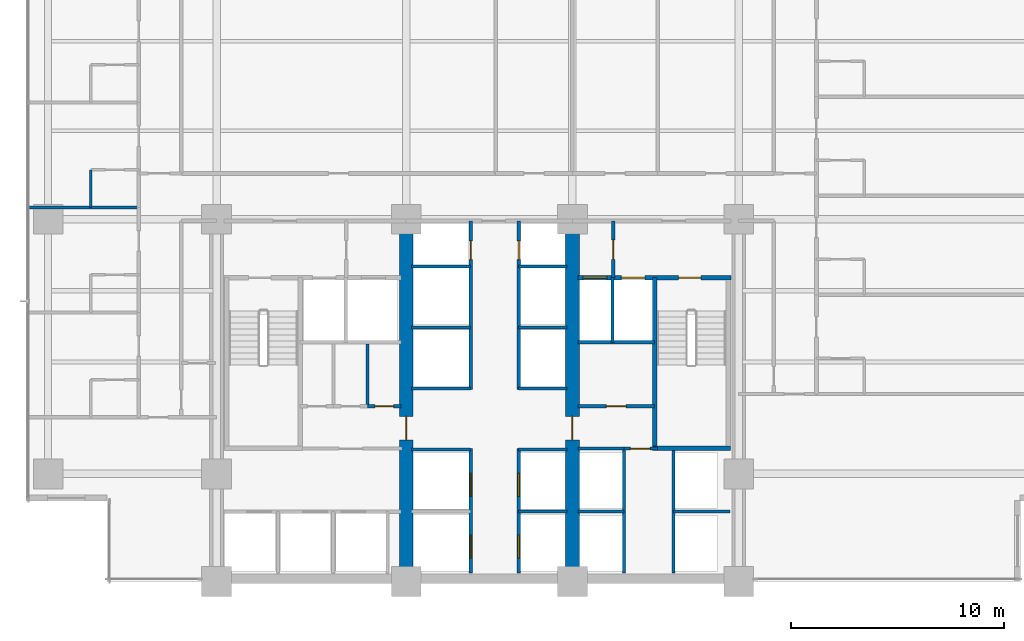
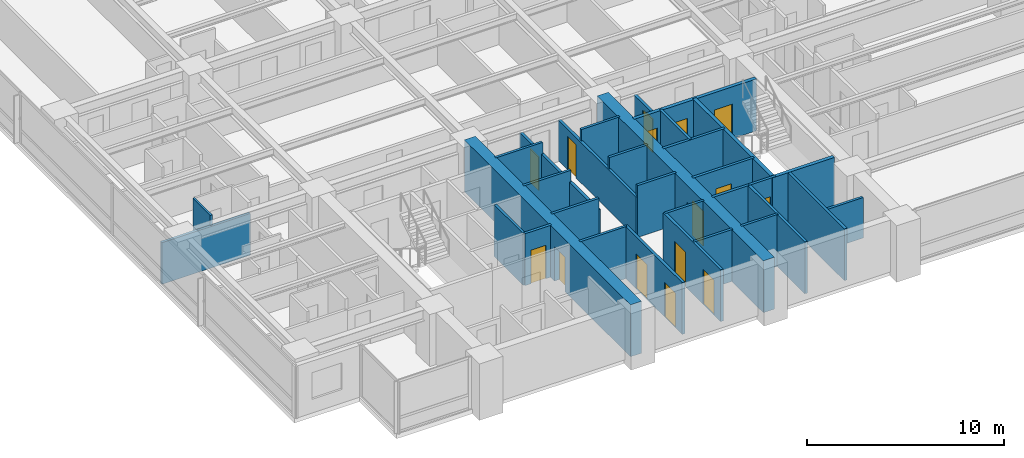
# One storey, part 8 of 17: 32 walls, 15 doors, 15 openings.
"""IFC4 building model written with IfcOpenShell, lengths in metres."""

from ifc_helpers import new_model, si_unit, direction, frame, frame_2d, origin, place, context, subcontext, project, spatial, rectangle, extrude, material, layer, layer_set, type_object, element, fill, save


model = new_model("IFC4")

# Units and contexts
model_context = context("Model", 3, precision=1e-05, world=origin(), true_north=direction((0.0, 1.0)))
body_context = subcontext(model_context, "Body", "Model", "MODEL_VIEW")
ifc_project = project(units=[si_unit("LENGTHUNIT", "METRE"), si_unit("AREAUNIT", "SQUARE_METRE"), si_unit("VOLUMEUNIT", "CUBIC_METRE"), si_unit("PLANEANGLEUNIT", "RADIAN"), si_unit("MASSUNIT", "GRAM", prefix="KILO")], contexts=[model_context])

# Site, building, storey
site_placement = place(None, origin())
site = spatial("IfcSite", under=ifc_project, at=site_placement, CompositionType="ELEMENT")
building_placement = place(site_placement, origin())
building = spatial("IfcBuilding", under=site, at=building_placement, Name="Qalmaran Belvedere Hotel", CompositionType="ELEMENT")
storey_placement = place(building_placement, frame((0.0, 0.0, 61.39990234375)))
storey = spatial("IfcBuildingStorey", under=building, at=storey_placement, Name="L15", CompositionType="ELEMENT", Elevation=61.39990234375)

# Wall, opening, door
ifc_material_1 = material(Name="Concrete C60/75", Category="concrete")
ifc_layer_1 = layer(ifc_material_1, 0.64990234375, Name="Concrete C60/75")
ifc_layer_set_1 = layer_set([ifc_layer_1], Name="Concrete C60/75")
wall_type_1 = type_object("IfcWallType", Name="WL-CORE-650-C60", PredefinedType="SHEAR", material=ifc_layer_set_1)
wall_1_placement = place(storey_placement, frame((29.199951171875, 3.5, 0.0), z_axis=(0.0, 0.0, 1.0), x_axis=(0.0, 1.0, 0.0)))
wall_1 = element("IfcWall", 1, at=wall_1_placement, inside=storey, type_object=wall_type_1, Name="L15 Core West Spine Shear Wall", PredefinedType="SHEAR", context=body_context, shape_type="SweptSolid", body=[
    extrude(rectangle(XDim=16.89990234375, YDim=0.64990234375, at=frame_2d((8.449951171875, 0.0))), origin(), (0.0, 0.0, 1.0), 3.22021484375),
])
opening_1_placement = place(wall_1_placement, frame((7.75, 0.0, 0.0), z_axis=(0.0, 0.0, 1.0), x_axis=(-1.0, 0.0, 0.0)))
opening_1 = element("IfcOpeningElement", 2, at=opening_1_placement, cuts=wall_1, Name="Opening FD90", PredefinedType="OPENING", context=body_context, shape_type="SweptSolid", body=[
    extrude(rectangle(XDim=1.10009765625, YDim=2.14990234375, at=frame_2d((0.550048828125, 1.074951171875))), frame((0.0, 0.3349609375, 0.0), z_axis=(0.0, -1.0, 0.0), x_axis=(1.0, 0.0, 0.0)), (0.0, 0.0, 1.0), 0.669921875),
])
ifc_material_2 = material(Name="Steel S355JR", Category="steel")
door_type_1 = type_object("IfcDoorType", Name="DR-FD90-1100X2150", OperationType="NOTDEFINED", PredefinedType="DOOR", material=ifc_material_2)
door_1_placement = place(opening_1_placement, origin())
door_1 = element("IfcDoor", 3, at=door_1_placement, inside=storey, type_object=door_type_1, Name="L15 Core West Cross-Lobby Door", OperationType="SINGLE_SWING_LEFT", OverallHeight=2.14990234375, OverallWidth=1.10009765625, PredefinedType="DOOR", context=body_context, shape_type="SweptSolid", body=[
    extrude(rectangle(XDim=1.10009765625, YDim=2.14990234375, at=frame_2d((0.550048828125, 1.074951171875))), frame((0.0, 0.02490234375, 0.0), z_axis=(0.0, -1.0, 0.0), x_axis=(1.0, 0.0, 0.0)), (0.0, 0.0, 1.0), 0.050048828125),
])
fill(opening_1, door_1)

wall_2_placement = place(storey_placement, frame((37.0, 3.5, 0.0), z_axis=(0.0, 0.0, 1.0), x_axis=(0.0, 1.0, 0.0)))
wall_2 = element("IfcWall", 4, at=wall_2_placement, inside=storey, type_object=wall_type_1, Name="L15 Core East Spine Shear Wall", PredefinedType="SHEAR", context=body_context, shape_type="SweptSolid", body=[
    extrude(rectangle(XDim=16.89990234375, YDim=0.64990234375, at=frame_2d((8.449951171875, 0.0))), origin(), (0.0, 0.0, 1.0), 3.22021484375),
])
opening_2_placement = place(wall_2_placement, frame((6.64990234375, 0.0, 0.0)))
opening_2 = element("IfcOpeningElement", 5, at=opening_2_placement, cuts=wall_2, Name="Opening FD90", PredefinedType="OPENING", context=body_context, shape_type="SweptSolid", body=[
    extrude(rectangle(XDim=1.10009765625, YDim=2.14990234375, at=frame_2d((0.550048828125, 1.074951171875))), frame((0.0, 0.3349609375, 0.0), z_axis=(0.0, -1.0, 0.0), x_axis=(1.0, 0.0, 0.0)), (0.0, 0.0, 1.0), 0.669921875),
])
door_2_placement = place(opening_2_placement, origin())
door_2 = element("IfcDoor", 6, at=door_2_placement, inside=storey, type_object=door_type_1, Name="L15 Core East Cross-Lobby Door", OperationType="SINGLE_SWING_RIGHT", OverallHeight=2.14990234375, OverallWidth=1.10009765625, PredefinedType="DOOR", context=body_context, shape_type="SweptSolid", body=[
    extrude(rectangle(XDim=1.10009765625, YDim=2.14990234375, at=frame_2d((0.550048828125, 1.074951171875))), frame((0.0, 0.02490234375, 0.0), z_axis=(0.0, -1.0, 0.0), x_axis=(1.0, 0.0, 0.0)), (0.0, 0.0, 1.0), 0.050048828125),
])
fill(opening_2, door_2)

# Walls
ifc_material_3 = material(Name="Moisture-Resistant Gypsum")
ifc_layer_2 = layer(ifc_material_3, 0.1201171875, Name="Moisture-Resistant Gypsum")
ifc_layer_set_2 = layer_set([ifc_layer_2], Name="Moisture-Resistant Gypsum")
wall_type_2 = type_object("IfcWallType", Name="WL-INT-120-BATH", PredefinedType="PARTITIONING", material=ifc_layer_set_2)
wall_3_placement = place(storey_placement, frame((14.39990234375, 21.050048828125, 0.0), z_axis=(0.0, 0.0, 1.0), x_axis=(0.0, 1.0, 0.0)))
element("IfcWall", 7, at=wall_3_placement, inside=storey, type_object=wall_type_2, Name="L15 Partition WL-L15-WBS02", PredefinedType="PARTITIONING", context=body_context, shape_type="SweptSolid", body=[
    extrude(rectangle(XDim=1.77001953125, YDim=0.1201171875, at=frame_2d((0.885009765625, 0.0))), origin(), (0.0, 0.0, 1.0), 3.22021484375),
])
ifc_material_4 = material(Name="Gypsum Stud Partition")
ifc_layer_3 = layer(ifc_material_4, 0.14990234375, Name="Gypsum Stud Partition")
ifc_layer_set_3 = layer_set([ifc_layer_3], Name="Gypsum Stud Partition")
wall_type_3 = type_object("IfcWallType", Name="WL-INT-150-EI120", PredefinedType="PARTITIONING", material=ifc_layer_set_3)
wall_4_placement = place(storey_placement, frame((38.8798828125, 14.719970703125, 0.0), z_axis=(0.0, 0.0, 1.0), x_axis=(0.0, 1.0, 0.0)))
element("IfcWall", 8, at=wall_4_placement, inside=storey, type_object=wall_type_3, Name="L15 Partition WL-FF2M-L15", PredefinedType="PARTITIONING", context=body_context, shape_type="SweptSolid", body=[
    extrude(rectangle(XDim=3.0400390625, YDim=0.14990234375, at=frame_2d((1.52001953125, 0.0))), origin(), (0.0, 0.0, 1.0), 3.22021484375),
])
wall_5_placement = place(storey_placement, frame((37.25, 6.780029296875, 0.0), z_axis=(0.0, 0.0, 1.0), x_axis=(1.0, 0.0, 0.0)))
element("IfcWall", 9, at=wall_5_placement, inside=storey, type_object=wall_type_3, Name="L15 Partition WL-PHMW-L15", PredefinedType="PARTITIONING", context=body_context, shape_type="SweptSolid", body=[
    extrude(rectangle(XDim=2.169921875, YDim=0.14990234375, at=frame_2d((1.0849609375, 0.0))), origin(), (0.0, 0.0, 1.0), 3.22021484375),
])
wall_6_placement = place(storey_placement, frame((41.739990234375, 6.780029296875, 0.0), z_axis=(0.0, 0.0, 1.0), x_axis=(1.0, 0.0, 0.0)))
element("IfcWall", 10, at=wall_6_placement, inside=storey, type_object=wall_type_3, Name="L15 Partition WL-PHME-L15", PredefinedType="PARTITIONING", context=body_context, shape_type="SweptSolid", body=[
    extrude(rectangle(XDim=2.659912109375, YDim=0.14990234375, at=frame_2d((1.330078125, 0.0))), origin(), (0.0, 0.0, 1.0), 2.510009765625),
])
wall_7_placement = place(storey_placement, frame((34.47998046875, 6.780029296875, 0.0), z_axis=(0.0, 0.0, 1.0), x_axis=(1.0, 0.0, 0.0)))
element("IfcWall", 11, at=wall_7_placement, inside=storey, type_object=wall_type_3, Name="L15 Partition WL-PLE-L15-67", PredefinedType="PARTITIONING", context=body_context, shape_type="SweptSolid", body=[
    extrude(rectangle(XDim=2.27001953125, YDim=0.14990234375, at=frame_2d((1.135009765625, 0.0))), origin(), (0.0, 0.0, 1.0), 3.22021484375),
])
wall_8_placement = place(storey_placement, frame((29.449951171875, 9.699951171875, 0.0), z_axis=(0.0, 0.0, 1.0), x_axis=(1.0, 0.0, 0.0)))
element("IfcWall", 12, at=wall_8_placement, inside=storey, type_object=wall_type_3, Name="L15 Partition WL-PLW-L15-97", PredefinedType="PARTITIONING", context=body_context, shape_type="SweptSolid", body=[
    extrude(rectangle(XDim=2.77001953125, YDim=0.14990234375, at=frame_2d((1.385009765625, 0.0))), origin(), (0.0, 0.0, 1.0), 3.22021484375),
])
wall_9_placement = place(storey_placement, frame((34.47998046875, 9.699951171875, 0.0), z_axis=(0.0, 0.0, 1.0), x_axis=(1.0, 0.0, 0.0)))
element("IfcWall", 13, at=wall_9_placement, inside=storey, type_object=wall_type_3, Name="L15 Partition WL-PLE-L15-97", PredefinedType="PARTITIONING", context=body_context, shape_type="SweptSolid", body=[
    extrude(rectangle(XDim=2.27001953125, YDim=0.14990234375, at=frame_2d((1.135009765625, 0.0))), origin(), (0.0, 0.0, 1.0), 3.22021484375),
])
wall_10_placement = place(storey_placement, frame((29.449951171875, 12.550048828125, 0.0), z_axis=(0.0, 0.0, 1.0), x_axis=(1.0, 0.0, 0.0)))
element("IfcWall", 14, at=wall_10_placement, inside=storey, type_object=wall_type_3, Name="L15 Partition WL-PMW-L15-125", PredefinedType="PARTITIONING", context=body_context, shape_type="SweptSolid", body=[
    extrude(rectangle(XDim=2.77001953125, YDim=0.14990234375, at=frame_2d((1.385009765625, 0.0))), origin(), (0.0, 0.0, 1.0), 3.22021484375),
])
wall_11_placement = place(storey_placement, frame((34.47998046875, 12.550048828125, 0.0), z_axis=(0.0, 0.0, 1.0), x_axis=(1.0, 0.0, 0.0)))
element("IfcWall", 15, at=wall_11_placement, inside=storey, type_object=wall_type_3, Name="L15 Partition WL-PME-L15-125", PredefinedType="PARTITIONING", context=body_context, shape_type="SweptSolid", body=[
    extrude(rectangle(XDim=2.27001953125, YDim=0.14990234375, at=frame_2d((1.135009765625, 0.0))), origin(), (0.0, 0.0, 1.0), 3.22021484375),
])
wall_12_placement = place(storey_placement, frame((29.449951171875, 15.419921875, 0.0), z_axis=(0.0, 0.0, 1.0), x_axis=(1.0, 0.0, 0.0)))
element("IfcWall", 16, at=wall_12_placement, inside=storey, type_object=wall_type_3, Name="L15 Partition WL-PMW-L15-154", PredefinedType="PARTITIONING", context=body_context, shape_type="SweptSolid", body=[
    extrude(rectangle(XDim=2.77001953125, YDim=0.14990234375, at=frame_2d((1.385009765625, 0.0))), origin(), (0.0, 0.0, 1.0), 3.22021484375),
])
wall_13_placement = place(storey_placement, frame((34.47998046875, 15.419921875, 0.0), z_axis=(0.0, 0.0, 1.0), x_axis=(1.0, 0.0, 0.0)))
element("IfcWall", 17, at=wall_13_placement, inside=storey, type_object=wall_type_3, Name="L15 Partition WL-PME-L15-154", PredefinedType="PARTITIONING", context=body_context, shape_type="SweptSolid", body=[
    extrude(rectangle(XDim=2.27001953125, YDim=0.14990234375, at=frame_2d((1.135009765625, 0.0))), origin(), (0.0, 0.0, 1.0), 3.22021484375),
])
wall_14_placement = place(storey_placement, frame((29.449951171875, 18.280029296875, 0.0), z_axis=(0.0, 0.0, 1.0), x_axis=(1.0, 0.0, 0.0)))
element("IfcWall", 18, at=wall_14_placement, inside=storey, type_object=wall_type_3, Name="L15 Partition WL-PMW-L15-182", PredefinedType="PARTITIONING", context=body_context, shape_type="SweptSolid", body=[
    extrude(rectangle(XDim=2.77001953125, YDim=0.14990234375, at=frame_2d((1.385009765625, 0.0))), origin(), (0.0, 0.0, 1.0), 3.22021484375),
])
wall_15_placement = place(storey_placement, frame((34.47998046875, 18.280029296875, 0.0), z_axis=(0.0, 0.0, 1.0), x_axis=(1.0, 0.0, 0.0)))
element("IfcWall", 19, at=wall_15_placement, inside=storey, type_object=wall_type_3, Name="L15 Partition WL-PME-L15-182", PredefinedType="PARTITIONING", context=body_context, shape_type="SweptSolid", body=[
    extrude(rectangle(XDim=2.27001953125, YDim=0.14990234375, at=frame_2d((1.135009765625, 0.0))), origin(), (0.0, 0.0, 1.0), 3.22021484375),
])
ifc_layer_4 = layer(ifc_material_4, 0.14990234375, Name="Gypsum Stud Partition")
ifc_layer_set_4 = layer_set([ifc_layer_4], Name="Gypsum Stud Partition")
wall_type_4 = type_object("IfcWallType", Name="WL-INT-150-EI60", PredefinedType="PARTITIONING", material=ifc_layer_set_4)
wall_16_placement = place(storey_placement, frame((27.38916015625, 11.719970703125, 0.0), z_axis=(0.0, 0.0, 1.0), x_axis=(0.0, 1.0, 0.0)))
element("IfcWall", 20, at=wall_16_placement, inside=storey, type_object=wall_type_4, Name="L15 Partition WL-L15-KWV2", PredefinedType="PARTITIONING", context=body_context, shape_type="SweptSolid", body=[
    extrude(rectangle(XDim=2.929931640625, YDim=0.14990234375, at=frame_2d((1.46484375, 0.0))), origin(), (0.0, 0.0, 1.0), 3.22021484375),
])

# Wall, opening, door
ifc_layer_5 = layer(ifc_material_4, 0.159912109375, Name="Gypsum Stud Partition")
ifc_layer_set_5 = layer_set([ifc_layer_5], Name="Gypsum Stud Partition")
wall_type_5 = type_object("IfcWallType", Name="WL-INT-160-EI120", PredefinedType="PARTITIONING", material=ifc_layer_set_5)
wall_17_placement = place(storey_placement, frame((38.919921875, 17.760009765625, 0.0), z_axis=(0.0, 0.0, 1.0), x_axis=(0.0, 1.0, 0.0)))
wall_17 = element("IfcWall", 21, at=wall_17_placement, inside=storey, type_object=wall_type_5, Name="L15 Partition WL-FFSV2-L15", PredefinedType="PARTITIONING", context=body_context, shape_type="SweptSolid", body=[
    extrude(rectangle(XDim=2.659912109375, YDim=0.159912109375, at=frame_2d((1.330078125, 0.0))), origin(), (0.0, 0.0, 1.0), 2.510009765625),
])
opening_3_placement = place(wall_17_placement, frame((1.77001953125, 0.0, 0.0), z_axis=(0.0, 0.0, 1.0), x_axis=(-1.0, 0.0, 0.0)))
opening_3 = element("IfcOpeningElement", 22, at=opening_3_placement, cuts=wall_17, Name="Opening FD60S1", PredefinedType="OPENING", context=body_context, shape_type="SweptSolid", body=[
    extrude(rectangle(XDim=0.919921875, YDim=2.080078125, at=frame_2d((0.4599609375, 1.0400390625))), frame((0.0, 0.08984375, 0.0), z_axis=(0.0, -1.0, 0.0), x_axis=(1.0, 0.0, 0.0)), (0.0, 0.0, 1.0), 0.179931640625),
])
ifc_material_5 = material(Name="Engineered Oak Veneer")
door_type_2 = type_object("IfcDoorType", Name="DR-FD60S-920X2080", OperationType="NOTDEFINED", PredefinedType="DOOR", material=ifc_material_5)
door_3_placement = place(opening_3_placement, origin())
door_3 = element("IfcDoor", 23, at=door_3_placement, inside=storey, type_object=door_type_2, Name="L15 Service Lobby East Door", OperationType="SINGLE_SWING_RIGHT", OverallHeight=2.080078125, OverallWidth=0.919921875, PredefinedType="DOOR", context=body_context, shape_type="SweptSolid", body=[
    extrude(rectangle(XDim=0.919921875, YDim=2.080078125, at=frame_2d((0.4599609375, 1.0400390625))), frame((0.0, 0.02490234375, 0.0), z_axis=(0.0, -1.0, 0.0), x_axis=(1.0, 0.0, 0.0)), (0.0, 0.0, 1.0), 0.050048828125),
])
fill(opening_3, door_3)

# Walls
wall_18_placement = place(storey_placement, frame((37.25, 14.719970703125, 0.0), z_axis=(0.0, 0.0, 1.0), x_axis=(1.0, 0.0, 0.0)))
element("IfcWall", 24, at=wall_18_placement, inside=storey, type_object=wall_type_5, Name="L15 Partition WL-FF2S-L15", PredefinedType="PARTITIONING", context=body_context, shape_type="SweptSolid", body=[
    extrude(rectangle(XDim=3.610107421875, YDim=0.159912109375, at=frame_2d((1.80517578125, 0.0))), origin(), (0.0, 0.0, 1.0), 3.22021484375),
])
for number, where, z_axis, x_axis, name in (
    (25, (39.419921875, 3.89990234375, 0.0), (0.0, 0.0, 1.0), (0.0, 1.0, 0.0), "L15 Partition WL-PHW-L15"),
    (26, (41.739990234375, 3.89990234375, 0.0), (0.0, 0.0, 1.0), (0.0, 1.0, 0.0), "L15 Partition WL-PHE-L15"),
):
    element("IfcWall", number, at=place(storey_placement, frame(where, z_axis=z_axis, x_axis=x_axis)), inside=storey, type_object=wall_type_5, Name=name, PredefinedType="PARTITIONING", context=body_context, shape_type="SweptSolid", body=[
        extrude(rectangle(XDim=5.840087890625, YDim=0.159912109375, at=frame_2d((2.919921875, 0.0))), origin(), (0.0, 0.0, 1.0), 3.22021484375),
    ])
wall_19_placement = place(storey_placement, frame((37.25, 9.739990234375, 0.0), z_axis=(0.0, 0.0, 1.0), x_axis=(1.0, 0.0, 0.0)))
element("IfcWall", 27, at=wall_19_placement, inside=storey, type_object=wall_type_5, Name="L15 Partition WL-PHNW-L15", PredefinedType="PARTITIONING", context=body_context, shape_type="SweptSolid", body=[
    extrude(rectangle(XDim=2.169921875, YDim=0.159912109375, at=frame_2d((1.0849609375, 0.0))), origin(), (0.0, 0.0, 1.0), 3.22021484375),
])

# Wall, opening, door
wall_20_placement = place(storey_placement, frame((39.419921875, 9.739990234375, 0.0), z_axis=(0.0, 0.0, 1.0), x_axis=(1.0, 0.0, 0.0)))
wall_20 = element("IfcWall", 28, at=wall_20_placement, inside=storey, type_object=wall_type_5, Name="L15 Partition WL-PHNL-L15", PredefinedType="PARTITIONING", context=body_context, shape_type="SweptSolid", body=[
    extrude(rectangle(XDim=1.56005859375, YDim=0.159912109375, at=frame_2d((0.780029296875, 0.0))), origin(), (0.0, 0.0, 1.0), 3.22021484375),
])
opening_4_placement = place(wall_20_placement, frame((0.300048828125, 0.0, 0.0)))
opening_4 = element("IfcOpeningElement", 29, at=opening_4_placement, cuts=wall_20, Name="Opening FD60S1", PredefinedType="OPENING", context=body_context, shape_type="SweptSolid", body=[
    extrude(rectangle(XDim=0.919921875, YDim=2.080078125, at=frame_2d((0.4599609375, 1.0400390625))), frame((0.0, 0.08984375, 0.0), z_axis=(0.0, -1.0, 0.0), x_axis=(1.0, 0.0, 0.0)), (0.0, 0.0, 1.0), 0.179931640625),
])
door_4_placement = place(opening_4_placement, origin())
door_4 = element("IfcDoor", 30, at=door_4_placement, inside=storey, type_object=door_type_2, Name="L15 High-Rise Lift Lobby Passage Door", OperationType="SINGLE_SWING_LEFT", OverallHeight=2.080078125, OverallWidth=0.919921875, PredefinedType="DOOR", context=body_context, shape_type="SweptSolid", body=[
    extrude(rectangle(XDim=0.919921875, YDim=2.080078125, at=frame_2d((0.4599609375, 1.0400390625))), frame((0.0, 0.02490234375, 0.0), z_axis=(0.0, -1.0, 0.0), x_axis=(1.0, 0.0, 0.0)), (0.0, 0.0, 1.0), 0.050048828125),
])
fill(opening_4, door_4)

# Wall, openings, doors
wall_21_placement = place(storey_placement, frame((32.219970703125, 3.89990234375, 0.0), z_axis=(0.0, 0.0, 1.0), x_axis=(0.0, 1.0, 0.0)))
wall_21 = element("IfcWall", 31, at=wall_21_placement, inside=storey, type_object=wall_type_5, Name="L15 Partition WL-CLBWS-L15", PredefinedType="PARTITIONING", context=body_context, shape_type="SweptSolid", body=[
    extrude(rectangle(XDim=5.840087890625, YDim=0.159912109375, at=frame_2d((2.919921875, 0.0))), origin(), (0.0, 0.0, 1.0), 3.22021484375),
])
opening_5_placement = place(wall_21_placement, frame((1.780029296875, 0.0, 0.0), z_axis=(0.0, 0.0, 1.0), x_axis=(-1.0, 0.0, 0.0)))
opening_5 = element("IfcOpeningElement", 32, at=opening_5_placement, cuts=wall_21, Name="Opening LD-P1", PredefinedType="OPENING", context=body_context, shape_type="SweptSolid", body=[
    extrude(rectangle(XDim=1.080078125, YDim=2.159912109375, at=frame_2d((0.5400390625, 1.080078125))), frame((0.0, 0.08984375, 0.0), z_axis=(0.0, -1.0, 0.0), x_axis=(1.0, 0.0, 0.0)), (0.0, 0.0, 1.0), 0.179931640625),
])
opening_6_placement = place(wall_21_placement, frame((4.68017578125, 0.0, 0.0), z_axis=(0.0, 0.0, 1.0), x_axis=(-1.0, 0.0, 0.0)))
opening_6 = element("IfcOpeningElement", 33, at=opening_6_placement, cuts=wall_21, Name="Opening LD-P1", PredefinedType="OPENING", context=body_context, shape_type="SweptSolid", body=[
    extrude(rectangle(XDim=1.080078125, YDim=2.159912109375, at=frame_2d((0.5400390625, 1.080078125))), frame((0.0, 0.08984375, 0.0), z_axis=(0.0, -1.0, 0.0), x_axis=(1.0, 0.0, 0.0)), (0.0, 0.0, 1.0), 0.179931640625),
])
ifc_material_6 = material(Name="Stainless Steel 1.4401", Category="steel")
door_type_3 = type_object("IfcDoorType", Name="DR-LIFT-P1-1080X2160", OperationType="DOUBLE_DOOR_SLIDING", PredefinedType="DOOR", material=ifc_material_6)
door_5_placement = place(opening_5_placement, origin())
door_5 = element("IfcDoor", 34, at=door_5_placement, inside=storey, type_object=door_type_3, Name="L15 PL1 Lift Landing Door", OperationType="DOUBLE_DOOR_SLIDING", OverallHeight=2.159912109375, OverallWidth=1.080078125, PredefinedType="DOOR", context=body_context, shape_type="SweptSolid", body=[
    extrude(rectangle(XDim=1.080078125, YDim=2.159912109375, at=frame_2d((0.5400390625, 1.080078125))), frame((0.0, 0.02490234375, 0.0), z_axis=(0.0, -1.0, 0.0), x_axis=(1.0, 0.0, 0.0)), (0.0, 0.0, 1.0), 0.050048828125),
])
fill(opening_5, door_5)
door_6_placement = place(opening_6_placement, origin())
door_6 = element("IfcDoor", 35, at=door_6_placement, inside=storey, type_object=door_type_3, Name="L15 PL2 Lift Landing Door", OperationType="DOUBLE_DOOR_SLIDING", OverallHeight=2.159912109375, OverallWidth=1.080078125, PredefinedType="DOOR", context=body_context, shape_type="SweptSolid", body=[
    extrude(rectangle(XDim=1.080078125, YDim=2.159912109375, at=frame_2d((0.5400390625, 1.080078125))), frame((0.0, 0.02490234375, 0.0), z_axis=(0.0, -1.0, 0.0), x_axis=(1.0, 0.0, 0.0)), (0.0, 0.0, 1.0), 0.050048828125),
])
fill(opening_6, door_6)

wall_22_placement = place(storey_placement, frame((34.47998046875, 3.89990234375, 0.0), z_axis=(0.0, 0.0, 1.0), x_axis=(0.0, 1.0, 0.0)))
wall_22 = element("IfcWall", 36, at=wall_22_placement, inside=storey, type_object=wall_type_5, Name="L15 Partition WL-CLBES-L15", PredefinedType="PARTITIONING", context=body_context, shape_type="SweptSolid", body=[
    extrude(rectangle(XDim=5.840087890625, YDim=0.159912109375, at=frame_2d((2.919921875, 0.0))), origin(), (0.0, 0.0, 1.0), 3.22021484375),
])
opening_7_placement = place(wall_22_placement, frame((0.699951171875, 0.0, 0.0)))
opening_7 = element("IfcOpeningElement", 37, at=opening_7_placement, cuts=wall_22, Name="Opening LD-P1", PredefinedType="OPENING", context=body_context, shape_type="SweptSolid", body=[
    extrude(rectangle(XDim=1.080078125, YDim=2.159912109375, at=frame_2d((0.5400390625, 1.080078125))), frame((0.0, 0.08984375, 0.0), z_axis=(0.0, -1.0, 0.0), x_axis=(1.0, 0.0, 0.0)), (0.0, 0.0, 1.0), 0.179931640625),
])
opening_8_placement = place(wall_22_placement, frame((3.60009765625, 0.0, 0.0)))
opening_8 = element("IfcOpeningElement", 38, at=opening_8_placement, cuts=wall_22, Name="Opening LD-P1", PredefinedType="OPENING", context=body_context, shape_type="SweptSolid", body=[
    extrude(rectangle(XDim=1.080078125, YDim=2.159912109375, at=frame_2d((0.5400390625, 1.080078125))), frame((0.0, 0.08984375, 0.0), z_axis=(0.0, -1.0, 0.0), x_axis=(1.0, 0.0, 0.0)), (0.0, 0.0, 1.0), 0.179931640625),
])
door_7_placement = place(opening_7_placement, origin())
door_7 = element("IfcDoor", 39, at=door_7_placement, inside=storey, type_object=door_type_3, Name="L15 PL3 Lift Landing Door", OperationType="DOUBLE_DOOR_SLIDING", OverallHeight=2.159912109375, OverallWidth=1.080078125, PredefinedType="DOOR", context=body_context, shape_type="SweptSolid", body=[
    extrude(rectangle(XDim=1.080078125, YDim=2.159912109375, at=frame_2d((0.5400390625, 1.080078125))), frame((0.0, 0.02490234375, 0.0), z_axis=(0.0, -1.0, 0.0), x_axis=(1.0, 0.0, 0.0)), (0.0, 0.0, 1.0), 0.050048828125),
])
fill(opening_7, door_7)
door_8_placement = place(opening_8_placement, origin())
door_8 = element("IfcDoor", 40, at=door_8_placement, inside=storey, type_object=door_type_3, Name="L15 PL4 Lift Landing Door", OperationType="DOUBLE_DOOR_SLIDING", OverallHeight=2.159912109375, OverallWidth=1.080078125, PredefinedType="DOOR", context=body_context, shape_type="SweptSolid", body=[
    extrude(rectangle(XDim=1.080078125, YDim=2.159912109375, at=frame_2d((0.5400390625, 1.080078125))), frame((0.0, 0.02490234375, 0.0), z_axis=(0.0, -1.0, 0.0), x_axis=(1.0, 0.0, 0.0)), (0.0, 0.0, 1.0), 0.050048828125),
])
fill(opening_8, door_8)

# Wall, opening, door
wall_23_placement = place(storey_placement, frame((32.219970703125, 12.5, 0.0), z_axis=(0.0, 0.0, 1.0), x_axis=(0.0, 1.0, 0.0)))
wall_23 = element("IfcWall", 41, at=wall_23_placement, inside=storey, type_object=wall_type_5, Name="L15 Partition WL-CLBWN-L15", PredefinedType="PARTITIONING", context=body_context, shape_type="SweptSolid", body=[
    extrude(rectangle(XDim=7.919921875, YDim=0.159912109375, at=frame_2d((3.9599609375, 0.0))), origin(), (0.0, 0.0, 1.0), 2.510009765625),
])
opening_9_placement = place(wall_23_placement, frame((6.10009765625, 0.0, 0.0)))
opening_9 = element("IfcOpeningElement", 42, at=opening_9_placement, cuts=wall_23, Name="Opening FD60B", PredefinedType="OPENING", context=body_context, shape_type="SweptSolid", body=[
    extrude(rectangle(XDim=0.8798828125, YDim=2.080078125, at=frame_2d((0.43994140625, 1.0400390625))), frame((0.0, 0.08984375, 0.0), z_axis=(0.0, -1.0, 0.0), x_axis=(1.0, 0.0, 0.0)), (0.0, 0.0, 1.0), 0.179931640625),
])
door_type_4 = type_object("IfcDoorType", Name="DR-FD60B-880X2080", OperationType="NOTDEFINED", PredefinedType="DOOR", material=ifc_material_2)
door_9_placement = place(opening_9_placement, origin())
door_9 = element("IfcDoor", 43, at=door_9_placement, inside=storey, type_object=door_type_4, Name="L15 West Riser Access Door", OperationType="SINGLE_SWING_RIGHT", OverallHeight=2.080078125, OverallWidth=0.8798828125, PredefinedType="DOOR", context=body_context, shape_type="SweptSolid", body=[
    extrude(rectangle(XDim=0.8798828125, YDim=2.080078125, at=frame_2d((0.43994140625, 1.0400390625))), frame((0.0, 0.02490234375, 0.0), z_axis=(0.0, -1.0, 0.0), x_axis=(1.0, 0.0, 0.0)), (0.0, 0.0, 1.0), 0.050048828125),
])
fill(opening_9, door_9)

wall_24_placement = place(storey_placement, frame((34.47998046875, 12.5, 0.0), z_axis=(0.0, 0.0, 1.0), x_axis=(0.0, 1.0, 0.0)))
wall_24 = element("IfcWall", 44, at=wall_24_placement, inside=storey, type_object=wall_type_5, Name="L15 Partition WL-CLBEN-L15", PredefinedType="PARTITIONING", context=body_context, shape_type="SweptSolid", body=[
    extrude(rectangle(XDim=7.919921875, YDim=0.159912109375, at=frame_2d((3.9599609375, 0.0))), origin(), (0.0, 0.0, 1.0), 2.510009765625),
])
opening_10_placement = place(wall_24_placement, frame((6.97998046875, 0.0, 0.0), z_axis=(0.0, 0.0, 1.0), x_axis=(-1.0, 0.0, 0.0)))
opening_10 = element("IfcOpeningElement", 45, at=opening_10_placement, cuts=wall_24, Name="Opening FD60B", PredefinedType="OPENING", context=body_context, shape_type="SweptSolid", body=[
    extrude(rectangle(XDim=0.8798828125, YDim=2.080078125, at=frame_2d((0.43994140625, 1.0400390625))), frame((0.0, 0.08984375, 0.0), z_axis=(0.0, -1.0, 0.0), x_axis=(1.0, 0.0, 0.0)), (0.0, 0.0, 1.0), 0.179931640625),
])
door_10_placement = place(opening_10_placement, origin())
door_10 = element("IfcDoor", 46, at=door_10_placement, inside=storey, type_object=door_type_4, Name="L15 East Riser Access Door", OperationType="SINGLE_SWING_LEFT", OverallHeight=2.080078125, OverallWidth=0.8798828125, PredefinedType="DOOR", context=body_context, shape_type="SweptSolid", body=[
    extrude(rectangle(XDim=0.8798828125, YDim=2.080078125, at=frame_2d((0.43994140625, 1.0400390625))), frame((0.0, 0.02490234375, 0.0), z_axis=(0.0, -1.0, 0.0), x_axis=(1.0, 0.0, 0.0)), (0.0, 0.0, 1.0), 0.050048828125),
])
fill(opening_10, door_10)

ifc_layer_6 = layer(ifc_material_4, 0.159912109375, Name="Gypsum Stud Partition")
ifc_layer_set_6 = layer_set([ifc_layer_6], Name="Gypsum Stud Partition")
wall_type_6 = type_object("IfcWallType", Name="WL-INT-160-EI60", PredefinedType="PARTITIONING", material=ifc_layer_set_6)
wall_25_placement = place(storey_placement, frame((27.38916015625, 11.719970703125, 0.0), z_axis=(0.0, 0.0, 1.0), x_axis=(1.0, 0.0, 0.0)))
wall_25 = element("IfcWall", 47, at=wall_25_placement, inside=storey, type_object=wall_type_6, Name="L15 Partition WL-L15-KWE3", PredefinedType="PARTITIONING", context=body_context, shape_type="SweptSolid", body=[
    extrude(rectangle(XDim=1.560791015625, YDim=0.159912109375, at=frame_2d((0.7802734375, 0.0))), origin(), (0.0, 0.0, 1.0), 3.22021484375),
])
opening_11_placement = place(wall_25_placement, frame((0.340576171875, 0.0, 0.0)))
opening_11 = element("IfcOpeningElement", 48, at=opening_11_placement, cuts=wall_25, Name="Opening FD60B", PredefinedType="OPENING", context=body_context, shape_type="SweptSolid", body=[
    extrude(rectangle(XDim=0.8798828125, YDim=2.080078125, at=frame_2d((0.43994140625, 1.0400390625))), frame((0.0, 0.08984375, 0.0), z_axis=(0.0, -1.0, 0.0), x_axis=(1.0, 0.0, 0.0)), (0.0, 0.0, 1.0), 0.179931640625),
])
door_11_placement = place(opening_11_placement, origin())
door_11 = element("IfcDoor", 49, at=door_11_placement, inside=storey, type_object=door_type_4, Name="L15 Telecom and IT Room Door", OperationType="SINGLE_SWING_RIGHT", OverallHeight=2.080078125, OverallWidth=0.8798828125, PredefinedType="DOOR", context=body_context, shape_type="SweptSolid", body=[
    extrude(rectangle(XDim=0.8798828125, YDim=2.080078125, at=frame_2d((0.43994140625, 1.0400390625))), frame((0.0, 0.02490234375, 0.0), z_axis=(0.0, -1.0, 0.0), x_axis=(1.0, 0.0, 0.0)), (0.0, 0.0, 1.0), 0.050048828125),
])
fill(opening_11, door_11)

wall_26_placement = place(storey_placement, frame((37.25, 11.719970703125, 0.0), z_axis=(0.0, 0.0, 1.0), x_axis=(1.0, 0.0, 0.0)))
wall_26 = element("IfcWall", 50, at=wall_26_placement, inside=storey, type_object=wall_type_6, Name="L15 Partition WL-L15-KEE1", PredefinedType="PARTITIONING", context=body_context, shape_type="SweptSolid", body=[
    extrude(rectangle(XDim=3.610107421875, YDim=0.159912109375, at=frame_2d((1.80517578125, 0.0))), origin(), (0.0, 0.0, 1.0), 3.22021484375),
])
opening_12_placement = place(wall_26_placement, frame((1.344970703125, 0.0, 0.0)))
opening_12 = element("IfcOpeningElement", 51, at=opening_12_placement, cuts=wall_26, Name="Opening FD60S1", PredefinedType="OPENING", context=body_context, shape_type="SweptSolid", body=[
    extrude(rectangle(XDim=0.919921875, YDim=2.080078125, at=frame_2d((0.4599609375, 1.0400390625))), frame((0.0, 0.08984375, 0.0), z_axis=(0.0, -1.0, 0.0), x_axis=(1.0, 0.0, 0.0)), (0.0, 0.0, 1.0), 0.179931640625),
])
door_12_placement = place(opening_12_placement, origin())
door_12 = element("IfcDoor", 52, at=door_12_placement, inside=storey, type_object=door_type_2, Name="L15 Guest Ice and Beverage Pantry Door", OperationType="SINGLE_SWING_LEFT", OverallHeight=2.080078125, OverallWidth=0.919921875, PredefinedType="DOOR", context=body_context, shape_type="SweptSolid", body=[
    extrude(rectangle(XDim=0.919921875, YDim=2.080078125, at=frame_2d((0.4599609375, 1.0400390625))), frame((0.0, 0.02490234375, 0.0), z_axis=(0.0, -1.0, 0.0), x_axis=(1.0, 0.0, 0.0)), (0.0, 0.0, 1.0), 0.050048828125),
])
fill(opening_12, door_12)

# Walls
wall_27_placement = place(storey_placement, frame((11.469970703125, 21.050048828125, 0.0), z_axis=(0.0, 0.0, 1.0), x_axis=(1.0, 0.0, 0.0)))
element("IfcWall", 53, at=wall_27_placement, inside=storey, type_object=wall_type_6, Name="L15 Partition WL-L15-WU01", PredefinedType="PARTITIONING", context=body_context, shape_type="SweptSolid", body=[
    extrude(rectangle(XDim=5.179931640625, YDim=0.159912109375, at=frame_2d((2.58984375, 0.0))), origin(), (0.0, 0.0, 1.0), 2.5830078125),
])
ifc_material_7 = material(Name="Concrete C50/60", Category="concrete")
ifc_layer_7 = layer(ifc_material_7, 0.2099609375, Name="Concrete C50/60")
ifc_layer_set_7 = layer_set([ifc_layer_7], Name="Concrete C50/60")
wall_type_7 = type_object("IfcWallType", Name="WL-STAIR-210-C50", PredefinedType="SHEAR", material=ifc_layer_set_7)
wall_28_placement = place(storey_placement, frame((40.85498046875, 9.7451171875, 0.0), z_axis=(0.0, 0.0, 1.0), x_axis=(0.0, 1.0, 0.0)))
element("IfcWall", 54, at=wall_28_placement, inside=storey, type_object=wall_type_7, Name="L15 Stair ST-2 West Bearing Wall", PredefinedType="SHEAR", context=body_context, shape_type="SweptSolid", body=[
    extrude(rectangle(XDim=8.009765625, YDim=0.2099609375, at=frame_2d((4.0048828125, 0.0))), origin(), (0.0, 0.0, 1.0), 3.22021484375),
])
wall_29_placement = place(storey_placement, frame((40.75, 9.7451171875, 0.0), z_axis=(0.0, 0.0, 1.0), x_axis=(1.0, 0.0, 0.0)))
element("IfcWall", 55, at=wall_29_placement, inside=storey, type_object=wall_type_7, Name="L15 Stair ST-2 South Bearing Wall", PredefinedType="SHEAR", context=body_context, shape_type="SweptSolid", body=[
    extrude(rectangle(XDim=3.659912109375, YDim=0.2099609375, at=frame_2d((1.830078125, 0.0))), origin(), (0.0, 0.0, 1.0), 3.22021484375),
])

# Wall, openings, doors
wall_30_placement = place(storey_placement, frame((37.25, 17.7548828125, 0.0), z_axis=(0.0, 0.0, 1.0), x_axis=(1.0, 0.0, 0.0)))
wall_30 = element("IfcWall", 56, at=wall_30_placement, inside=storey, type_object=wall_type_7, Name="L15 East Lobby and Stair ST-2 North Bearing Wall", PredefinedType="SHEAR", context=body_context, shape_type="SweptSolid", body=[
    extrude(rectangle(XDim=7.199951171875, YDim=0.2099609375, at=frame_2d((3.60009765625, 0.0))), origin(), (0.0, 0.0, 1.0), 3.22021484375),
])
opening_13_placement = place(wall_30_placement, frame((0.25, 0.0, 0.0)))
opening_13 = element("IfcOpeningElement", 57, at=opening_13_placement, cuts=wall_30, Name="Opening LD-SV", PredefinedType="OPENING", context=body_context, shape_type="SweptSolid", body=[
    extrude(rectangle(XDim=1.1201171875, YDim=2.199951171875, at=frame_2d((0.56005859375, 1.10009765625))), frame((0.0, 0.114990234375, 0.0), z_axis=(0.0, -1.0, 0.0), x_axis=(1.0, 0.0, 0.0)), (0.0, 0.0, 1.0), 0.22998046875),
])
opening_14_placement = place(wall_30_placement, frame((2.050048828125, 0.0, 0.0)))
opening_14 = element("IfcOpeningElement", 58, at=opening_14_placement, cuts=wall_30, Name="Opening LD-FF", PredefinedType="OPENING", context=body_context, shape_type="SweptSolid", body=[
    extrude(rectangle(XDim=1.10009765625, YDim=2.179931640625, at=frame_2d((0.550048828125, 1.08984375))), frame((0.0, 0.114990234375, 0.0), z_axis=(0.0, -1.0, 0.0), x_axis=(1.0, 0.0, 0.0)), (0.0, 0.0, 1.0), 0.22998046875),
])
opening_15_placement = place(wall_30_placement, frame((5.780029296875, 0.0, 0.0), z_axis=(0.0, 0.0, 1.0), x_axis=(-1.0, 0.0, 0.0)))
opening_15 = element("IfcOpeningElement", 59, at=opening_15_placement, cuts=wall_30, Name="Opening FD90S2", PredefinedType="OPENING", context=body_context, shape_type="SweptSolid", body=[
    extrude(rectangle(XDim=1.050048828125, YDim=2.14990234375, at=frame_2d((0.52490234375, 1.074951171875))), frame((0.0, 0.114990234375, 0.0), z_axis=(0.0, -1.0, 0.0), x_axis=(1.0, 0.0, 0.0)), (0.0, 0.0, 1.0), 0.22998046875),
])
door_type_5 = type_object("IfcDoorType", Name="DR-FD90S-1050X2150", OperationType="NOTDEFINED", PredefinedType="DOOR", material=ifc_material_2)
door_13_placement = place(opening_15_placement, origin())
door_13 = element("IfcDoor", 60, at=door_13_placement, inside=storey, type_object=door_type_5, Name="L15 Stair ST-2 Door", OperationType="SINGLE_SWING_RIGHT", OverallHeight=2.14990234375, OverallWidth=1.050048828125, PredefinedType="DOOR", context=body_context, shape_type="SweptSolid", body=[
    extrude(rectangle(XDim=1.050048828125, YDim=2.14990234375, at=frame_2d((0.52490234375, 1.074951171875))), frame((0.0, 0.02490234375, 0.0), z_axis=(0.0, -1.0, 0.0), x_axis=(1.0, 0.0, 0.0)), (0.0, 0.0, 1.0), 0.050048828125),
])
fill(opening_15, door_13)
door_type_6 = type_object("IfcDoorType", Name="DR-LIFT-FF-1100X2180", OperationType="DOUBLE_DOOR_SLIDING", PredefinedType="DOOR", material=ifc_material_6)
door_14_placement = place(opening_14_placement, origin())
door_14 = element("IfcDoor", 61, at=door_14_placement, inside=storey, type_object=door_type_6, Name="L15 FF2 Lift Landing Door", OperationType="DOUBLE_DOOR_SLIDING", OverallHeight=2.179931640625, OverallWidth=1.10009765625, PredefinedType="DOOR", context=body_context, shape_type="SweptSolid", body=[
    extrude(rectangle(XDim=1.10009765625, YDim=2.179931640625, at=frame_2d((0.550048828125, 1.08984375))), frame((0.0, 0.02490234375, 0.0), z_axis=(0.0, -1.0, 0.0), x_axis=(1.0, 0.0, 0.0)), (0.0, 0.0, 1.0), 0.050048828125),
])
fill(opening_14, door_14)
door_type_7 = type_object("IfcDoorType", Name="DR-LIFT-SV-1120X2200", OperationType="DOUBLE_DOOR_SLIDING", PredefinedType="DOOR", material=ifc_material_6)
door_15_placement = place(opening_13_placement, origin())
door_15 = element("IfcDoor", 62, at=door_15_placement, inside=storey, type_object=door_type_7, Name="L15 SV2 Lift Landing Door", OperationType="DOUBLE_DOOR_SLIDING", OverallHeight=2.199951171875, OverallWidth=1.1201171875, PredefinedType="DOOR", context=body_context, shape_type="SweptSolid", body=[
    extrude(rectangle(XDim=1.1201171875, YDim=2.199951171875, at=frame_2d((0.56005859375, 1.10009765625))), frame((0.0, 0.02490234375, 0.0), z_axis=(0.0, -1.0, 0.0), x_axis=(1.0, 0.0, 0.0)), (0.0, 0.0, 1.0), 0.050048828125),
])
fill(opening_13, door_15)

save(model, "model.ifc")
